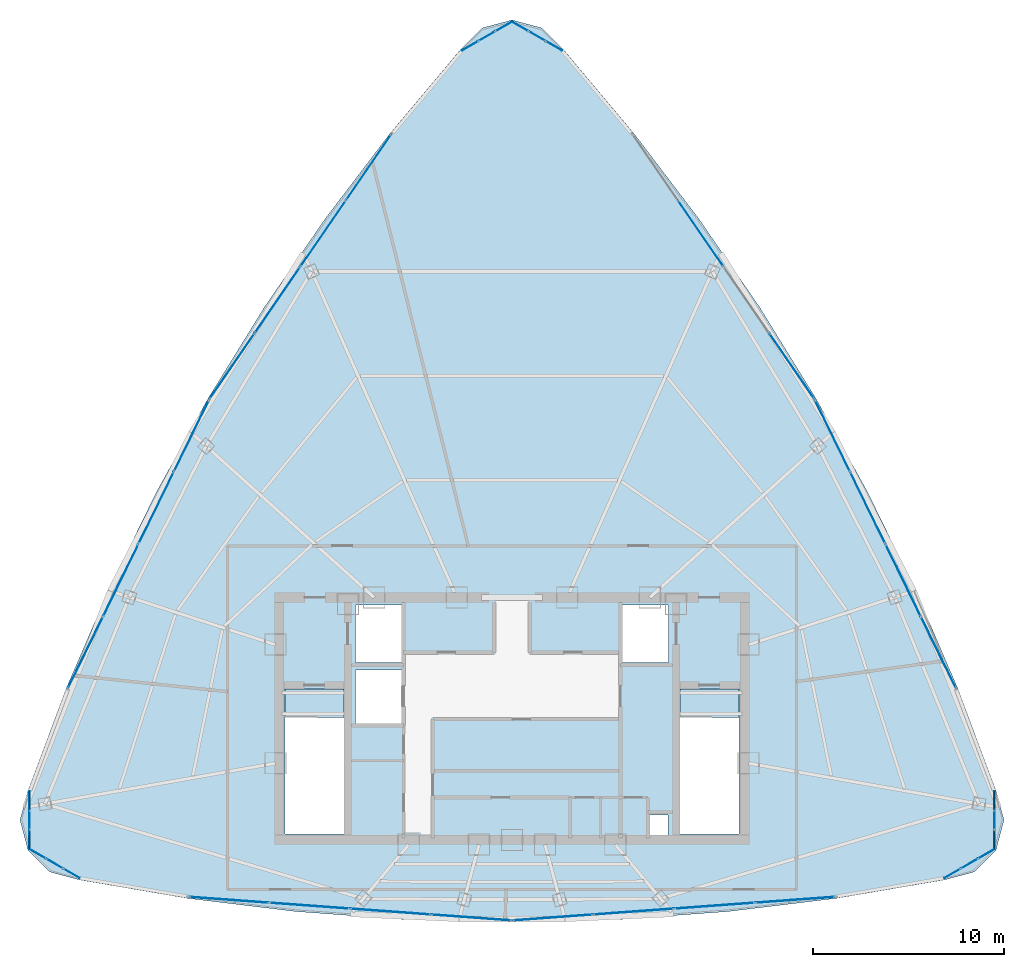
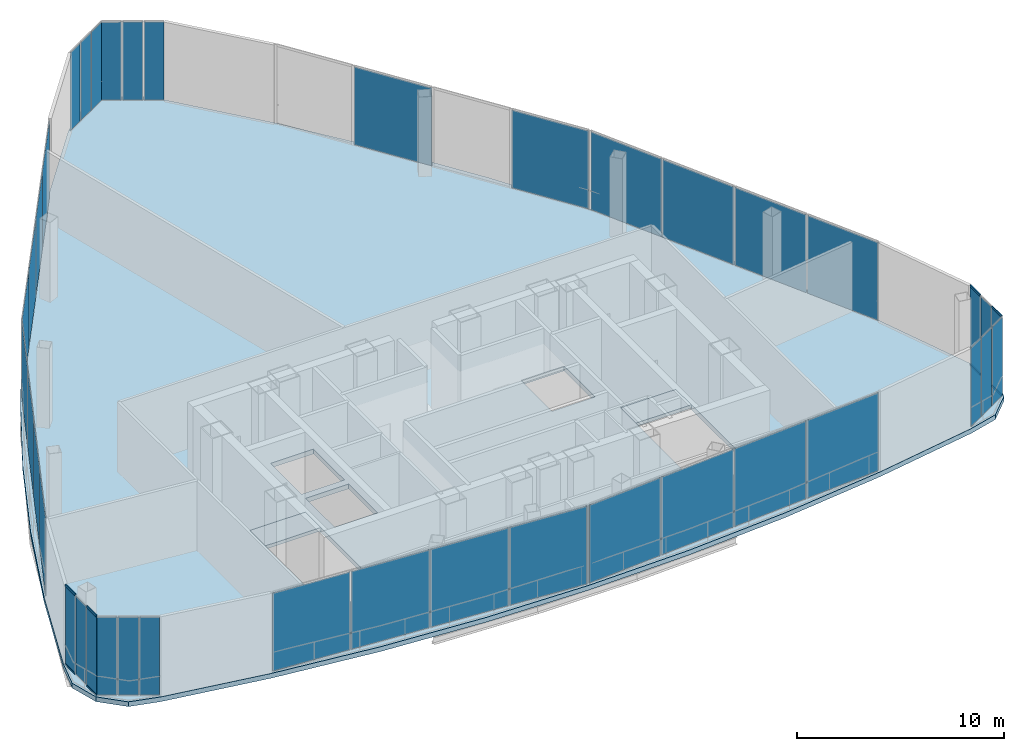
# One storey, part 28 of 32: 40 plates, 8 members, 3 slabs, 12 elements without a shape of their own.
"""IFC4 building model written with IfcOpenShell, lengths in metres."""

from ifc_helpers import new_model, si_unit, direction, frame, origin, origin_2d, place, context, subcontext, project, spatial, polyline, rectangle, hollow_rectangle, outline, extrude, source, transform, mapped, material, layer, layer_set, material_profile, profile_set, type_object, element, aggregate, save


model = new_model("IFC4")

# Units and contexts
model_context = context("Model", 3, precision=1e-05, world=origin(), true_north=direction((0.0, 1.0)))
body_context = subcontext(model_context, "Body", "Model", "MODEL_VIEW")
ifc_project = project(units=[si_unit("LENGTHUNIT", "METRE"), si_unit("AREAUNIT", "SQUARE_METRE"), si_unit("VOLUMEUNIT", "CUBIC_METRE"), si_unit("PLANEANGLEUNIT", "RADIAN"), si_unit("MASSUNIT", "GRAM", prefix="KILO"), si_unit("THERMODYNAMICTEMPERATUREUNIT", "KELVIN"), si_unit("POWERUNIT", "WATT")], contexts=[model_context])

# Site, building, storey
site_placement = place(None, origin())
site = spatial("IfcSite", under=ifc_project, at=site_placement, CompositionType="ELEMENT")
building_placement = place(site_placement, origin())
building = spatial("IfcBuilding", under=site, at=building_placement, Name="Yunzhuo Pagoda Commons", CompositionType="ELEMENT")
storey_placement = place(building_placement, frame((0.0, 0.0, 396.760009765625)))
storey = spatial("IfcBuildingStorey", under=building, at=storey_placement, Name="L98", CompositionType="ELEMENT", Elevation=396.760009765625)

# Curtain wall, members
ifc_material_1 = material(Name="Anodized aluminium 6063-T6", Category="aluminium")
ifc_layer_1 = layer(ifc_material_1, 0.1298828125)
ifc_layer_set_1 = layer_set([ifc_layer_1], Name="Anodized aluminium 6063-T6")
curtain_wall_type_1 = type_object("IfcCurtainWallType", Name="CW-VTX Rounded Corner Curtain Wall", PredefinedType="NOTDEFINED", material=ifc_layer_set_1)
curtain_wall_1_placement = place(storey_placement, origin())
curtain_wall_1 = element("IfcCurtainWall", 1, at=curtain_wall_1_placement, inside=storey, type_object=curtain_wall_type_1, Name="L98 curtain wall CW-L98-CRNV1S1", PredefinedType="NOTDEFINED")
ifc_material_profile = material_profile(ifc_material_1, hollow_rectangle(XDim=0.054931640625, YDim=0.1201171875, WallThickness=0.00341796875, at=origin_2d()), Name="Anodized aluminium 6063-T6")
ifc_profile_set = profile_set([ifc_material_profile], Name="Anodized aluminium 6063-T6")
member_type = type_object("IfcMemberType", Name="CW-VTX-T Transom RHS 120x55x3.5", PredefinedType="USERDEFINED", material=ifc_profile_set)
shared_shape_1 = source(origin(), body_context, "Body", "SweptSolid", [
    extrude(hollow_rectangle(XDim=0.054931640625, YDim=0.1201171875, WallThickness=0.00341796875, at=origin_2d()), origin(), (0.0, 0.0, 1.0), 0.963623046875),
])
member_1_placement = place(storey_placement, frame((22.728759765625, 30.0537109375, 0.027587890625), z_axis=(-0.003546975407, -0.999993709463, 0.0), x_axis=(0.999993709463, -0.003546975407, 0.0)))
member_1 = element("IfcMember", 2, at=member_1_placement, type_object=member_type, Name="CW transom 1.1", ObjectType="TRANSOM", PredefinedType="USERDEFINED", context=body_context, shape_type="MappedRepresentation", body=[
    mapped(shared_shape_1, transform((0.0, 0.0, 0.0), scale=1.0)),
])
member_2_placement = place(storey_placement, frame((22.728759765625, 30.0537109375, 4.6923828125), z_axis=(-0.003546975407, -0.999993709463, 0.0), x_axis=(0.999993709463, -0.003546975407, 0.0)))
member_2 = element("IfcMember", 3, at=member_2_placement, type_object=member_type, Name="CW transom 1.2", ObjectType="TRANSOM", PredefinedType="USERDEFINED", context=body_context, shape_type="MappedRepresentation", body=[
    mapped(shared_shape_1, transform((0.0, 0.0, 0.0), scale=1.0)),
])
member_3_placement = place(storey_placement, frame((22.7216796875, 27.989013671875, 0.027587890625), z_axis=(-0.003800327256, -0.99999277873, 0.0), x_axis=(0.99999277873, -0.003800327256, 0.0)))
member_3 = element("IfcMember", 4, at=member_3_placement, type_object=member_type, Name="CW transom 3.1", ObjectType="TRANSOM", PredefinedType="USERDEFINED", context=body_context, shape_type="MappedRepresentation", body=[
    mapped(shared_shape_1, transform((0.0, 0.0, 0.0), scale=1.0)),
])
member_4_placement = place(storey_placement, frame((22.7216796875, 27.989013671875, 4.6923828125), z_axis=(-0.003800327256, -0.99999277873, 0.0), x_axis=(0.99999277873, -0.003800327256, 0.0)))
member_4 = element("IfcMember", 5, at=member_4_placement, type_object=member_type, Name="CW transom 3.2", ObjectType="TRANSOM", PredefinedType="USERDEFINED", context=body_context, shape_type="MappedRepresentation", body=[
    mapped(shared_shape_1, transform((0.0, 0.0, 0.0), scale=1.0)),
])

curtain_wall_2_placement = place(storey_placement, origin())
curtain_wall_2 = element("IfcCurtainWall", 6, at=curtain_wall_2_placement, inside=storey, type_object=curtain_wall_type_1, Name="L98 curtain wall CW-L98-CRNV2S2", PredefinedType="NOTDEFINED")
member_5_placement = place(storey_placement, frame((73.281982421875, 27.025390625, 0.027587890625), z_axis=(-0.003293622875, 0.999994576009, 0.0), x_axis=(-0.999994576009, -0.003293622875, 0.0)))
member_5 = element("IfcMember", 7, at=member_5_placement, type_object=member_type, Name="CW transom 1.1", ObjectType="TRANSOM", PredefinedType="USERDEFINED", context=body_context, shape_type="MappedRepresentation", body=[
    mapped(shared_shape_1, transform((0.0, 0.0, 0.0), scale=1.0)),
])
member_6_placement = place(storey_placement, frame((73.281982421875, 27.025390625, 4.6923828125), z_axis=(-0.003293622875, 0.999994576009, 0.0), x_axis=(-0.999994576009, -0.003293622875, 0.0)))
member_6 = element("IfcMember", 8, at=member_6_placement, type_object=member_type, Name="CW transom 1.2", ObjectType="TRANSOM", PredefinedType="USERDEFINED", context=body_context, shape_type="MappedRepresentation", body=[
    mapped(shared_shape_1, transform((0.0, 0.0, 0.0), scale=1.0)),
])
member_7_placement = place(storey_placement, frame((73.274658203125, 29.090087890625, 0.027587890625), z_axis=(-0.003546975407, 0.999993709463, 0.0), x_axis=(-0.999993709463, -0.003546975407, 0.0)))
member_7 = element("IfcMember", 9, at=member_7_placement, type_object=member_type, Name="CW transom 3.1", ObjectType="TRANSOM", PredefinedType="USERDEFINED", context=body_context, shape_type="MappedRepresentation", body=[
    mapped(shared_shape_1, transform((0.0, 0.0, 0.0), scale=1.0)),
])
member_8_placement = place(storey_placement, frame((73.274658203125, 29.090087890625, 4.6923828125), z_axis=(-0.003546975407, 0.999993709463, 0.0), x_axis=(-0.999993709463, -0.003546975407, 0.0)))
member_8 = element("IfcMember", 10, at=member_8_placement, type_object=member_type, Name="CW transom 3.2", ObjectType="TRANSOM", PredefinedType="USERDEFINED", context=body_context, shape_type="MappedRepresentation", body=[
    mapped(shared_shape_1, transform((0.0, 0.0, 0.0), scale=1.0)),
])

# Slabs
ifc_material_2 = material(Name="Concrete C40", Category="concrete")
ifc_layer_2 = layer(ifc_material_2, 0.199951171875)
ifc_layer_set_2 = layer_set([ifc_layer_2], Name="Concrete C40")
slab_type_1 = type_object("IfcSlabType", Name="SL-LND1 Stair Landing Slab 200", PredefinedType="LANDING", material=ifc_layer_set_2)
slab_1_placement = place(storey_placement, frame((0.0, 0.0, -0.199951171875)))
element("IfcSlab", 11, at=slab_1_placement, inside=storey, type_object=slab_type_1, Name="ST1 floor landing L98", PredefinedType="LANDING", context=body_context, shape_type="SweptSolid", body=[
    extrude(outline(polyline([(36.10009765625, 35.39990234375), (36.10009765625, 33.89990234375), (39.199951171875, 33.89990234375), (39.199951171875, 35.39990234375), (36.10009765625, 35.39990234375)])), origin(), (0.0, 0.0, 1.0), 0.199951171875),
])
ifc_layer_3 = layer(ifc_material_2, 0.201904296875)
ifc_layer_set_3 = layer_set([ifc_layer_3], Name="Concrete C40")
slab_type_2 = type_object("IfcSlabType", Name="SL-LND2 Stair Landing Slab 202", PredefinedType="LANDING", material=ifc_layer_set_3)
slab_2_placement = place(storey_placement, frame((0.0, 0.0, -0.199951171875)))
element("IfcSlab", 12, at=slab_2_placement, inside=storey, type_object=slab_type_2, Name="ST2 floor landing L98", PredefinedType="LANDING", context=body_context, shape_type="SweptSolid", body=[
    extrude(outline(polyline([(56.800048828125, 35.39990234375), (56.800048828125, 33.89990234375), (59.89990234375, 33.89990234375), (59.89990234375, 35.39990234375), (56.800048828125, 35.39990234375)])), origin(), (0.0, 0.0, 1.0), 0.199951171875),
])
ifc_layer_4 = layer(ifc_material_2, 0.280029296875)
ifc_layer_set_4 = layer_set([ifc_layer_4], Name="Concrete C40")
slab_type_3 = type_object("IfcSlabType", Name="SL-POD Podium & Refuge Floor Slab 280", PredefinedType="FLOOR", material=ifc_layer_set_4)
slab_3_placement = place(storey_placement, frame((0.0, 0.0, -0.280029296875)))
element("IfcSlab", 13, at=slab_3_placement, inside=storey, type_object=slab_type_3, Name="L98 structural floor slab", PredefinedType="FLOOR", context=body_context, shape_type="SweptSolid", body=[
    extrude(outline(polyline([(24.64697265625, 35.4443359375), (26.8828125, 40.64111328125), (29.356689453125, 45.69873046875), (32.068603515625, 50.61767578125), (35.018310546875, 55.397705078125), (38.2060546875, 60.038818359375), (41.631591796875, 64.541015625), (45.295166015625, 68.904296875), (46.4404296875, 70.04150390625), (48.0, 70.457275390625), (49.5595703125, 70.04150390625), (50.704833984375, 68.904296875), (54.368408203125, 64.541015625), (57.7939453125, 60.038818359375), (60.981689453125, 55.397705078125), (63.931396484375, 50.61767578125), (66.643310546875, 45.69873046875), (69.1171875, 40.64111328125), (71.35302734375, 35.4443359375), (73.35107421875, 30.10888671875), (73.7783203125, 28.541259765625), (73.3623046875, 26.970458984375), (72.21533203125, 25.819580078125), (70.646240234375, 25.39794921875), (64.984619140625, 24.43359375), (59.322998046875, 23.7451171875), (53.66162109375, 23.331787109375), (48.0, 23.194091796875), (42.33837890625, 23.331787109375), (36.677001953125, 23.7451171875), (31.015380859375, 24.43359375), (25.353759765625, 25.39794921875), (23.78466796875, 25.819580078125), (22.6376953125, 26.970458984375), (22.2216796875, 28.541259765625), (22.64892578125, 30.10888671875), (24.64697265625, 35.4443359375)]), holes=[polyline([(55.179931640625, 28.800048828125), (55.179931640625, 27.699951171875), (56.179931640625, 27.699951171875), (56.179931640625, 28.800048828125), (55.179931640625, 28.800048828125)]), polyline([(39.199951171875, 27.800048828125), (39.199951171875, 35.39990234375), (36.10009765625, 35.39990234375), (36.10009765625, 27.800048828125), (39.199951171875, 27.800048828125)]), polyline([(59.89990234375, 27.800048828125), (59.89990234375, 35.39990234375), (56.800048828125, 35.39990234375), (56.800048828125, 27.800048828125), (59.89990234375, 27.800048828125)]), polyline([(39.800048828125, 36.39990234375), (39.800048828125, 33.60009765625), (42.199951171875, 33.60009765625), (42.199951171875, 36.39990234375), (39.800048828125, 36.39990234375)]), polyline([(42.199951171875, 39.800048828125), (39.800048828125, 39.800048828125), (39.800048828125, 36.800048828125), (42.199951171875, 36.800048828125), (42.199951171875, 39.800048828125)]), polyline([(56.199951171875, 39.800048828125), (53.800048828125, 39.800048828125), (53.800048828125, 36.800048828125), (56.199951171875, 36.800048828125), (56.199951171875, 39.800048828125)])]), origin(), (0.0, 0.0, 1.0), 0.280029296875),
])

# Curtain wall, plates
ifc_layer_5 = layer(ifc_material_1, 0.179931640625)
ifc_layer_set_5 = layer_set([ifc_layer_5], Name="Anodized aluminium 6063-T6")
curtain_wall_type_2 = type_object("IfcCurtainWallType", Name="CW-CRN Crown Gable Glazing System", PredefinedType="NOTDEFINED", material=ifc_layer_set_5)
curtain_wall_3_placement = place(storey_placement, origin())
curtain_wall_3 = element("IfcCurtainWall", 14, at=curtain_wall_3_placement, inside=storey, type_object=curtain_wall_type_2, Name="L98 curtain wall CW-L98-CRNF1G1", PredefinedType="NOTDEFINED")
ifc_material_3 = material(Name="Tempered low-e double glazing", Category="glass")
ifc_layer_6 = layer(ifc_material_3, 0.030029296875)
ifc_layer_set_6 = layer_set([ifc_layer_6], Name="Tempered low-e double glazing")
plate_type_1 = type_object("IfcPlateType", Name="CW-CRN-P Low-E Double Glazing 30", PredefinedType="CURTAIN_PANEL", material=ifc_layer_set_6)
shared_shape_2 = source(origin(), body_context, "Body", "SweptSolid", [
    extrude(rectangle(XDim=4.159912109375, YDim=0.028076171875, at=origin_2d()), origin(), (0.0, 0.0, 1.0), 4.60009765625),
])
plate_1_placement = place(storey_placement, frame((33.160400390625, 24.357421875, 0.06005859375), z_axis=(0.0, 0.0, 1.0), x_axis=(0.997346882924, -0.072795570763, 0.0)))
plate_1 = element("IfcPlate", 15, at=plate_1_placement, type_object=plate_type_1, Name="CW panel 1.1", PredefinedType="CURTAIN_PANEL", context=body_context, shape_type="MappedRepresentation", body=[
    mapped(shared_shape_2, transform((0.0, 0.0, 0.0), scale=1.0)),
])
plate_2_placement = place(storey_placement, frame((45.866455078125, 23.429931640625, 0.06005859375), z_axis=(0.0, 0.0, 1.0), x_axis=(0.997346882924, -0.072795570763, 0.0)))
plate_2 = element("IfcPlate", 16, at=plate_2_placement, type_object=plate_type_1, Name="CW panel 4.1", PredefinedType="CURTAIN_PANEL", context=body_context, shape_type="MappedRepresentation", body=[
    mapped(shared_shape_2, transform((0.0, 0.0, 0.0), scale=1.0)),
])

curtain_wall_4_placement = place(storey_placement, origin())
curtain_wall_4 = element("IfcCurtainWall", 17, at=curtain_wall_4_placement, inside=storey, type_object=curtain_wall_type_2, Name="L98 curtain wall CW-L98-CRNF1G2", PredefinedType="NOTDEFINED")
plate_3_placement = place(storey_placement, frame((50.133544921875, 23.429931640625, 0.06005859375), z_axis=(0.0, 0.0, 1.0), x_axis=(0.997346851806, 0.072795997095, 0.0)))
plate_3 = element("IfcPlate", 18, at=plate_3_placement, type_object=plate_type_1, Name="CW panel 1.1", PredefinedType="CURTAIN_PANEL", context=body_context, shape_type="MappedRepresentation", body=[
    mapped(shared_shape_2, transform((0.0, 0.0, 0.0), scale=1.0)),
])
plate_4_placement = place(storey_placement, frame((62.839599609375, 24.357421875, 0.06005859375), z_axis=(0.0, 0.0, 1.0), x_axis=(0.997346851806, 0.072795997095, 0.0)))
plate_4 = element("IfcPlate", 19, at=plate_4_placement, type_object=plate_type_1, Name="CW panel 4.1", PredefinedType="CURTAIN_PANEL", context=body_context, shape_type="MappedRepresentation", body=[
    mapped(shared_shape_2, transform((0.0, 0.0, 0.0), scale=1.0)),
])

# Plate
shared_shape_3 = source(origin(), body_context, "Body", "SweptSolid", [
    extrude(rectangle(XDim=4.1923828125, YDim=0.028076171875, at=origin_2d()), origin(), (0.0, 0.0, 1.0), 4.60009765625),
])
plate_5_placement = place(storey_placement, frame((37.390380859375, 24.048583984375, 0.06005859375), z_axis=(0.0, 0.0, 1.0), x_axis=(0.997346882924, -0.072795570763, 0.0)))
plate_5 = element("IfcPlate", 20, at=plate_5_placement, type_object=plate_type_1, Name="CW panel 2.1", PredefinedType="CURTAIN_PANEL", context=body_context, shape_type="MappedRepresentation", body=[
    mapped(shared_shape_3, transform((0.0, 0.0, 0.0), scale=1.0)),
])

plate_6_placement = place(storey_placement, frame((41.636474609375, 23.73876953125, 0.06005859375), z_axis=(0.0, 0.0, 1.0), x_axis=(0.997346882924, -0.072795570763, 0.0)))
plate_6 = element("IfcPlate", 21, at=plate_6_placement, type_object=plate_type_1, Name="CW panel 3.1", PredefinedType="CURTAIN_PANEL", context=body_context, shape_type="MappedRepresentation", body=[
    mapped(shared_shape_3, transform((0.0, 0.0, 0.0), scale=1.0)),
])

aggregate(curtain_wall_3, [plate_1, plate_5, plate_6, plate_2])

plate_7_placement = place(storey_placement, frame((54.363525390625, 23.73876953125, 0.06005859375), z_axis=(0.0, 0.0, 1.0), x_axis=(0.997346851806, 0.072795997095, 0.0)))
plate_7 = element("IfcPlate", 22, at=plate_7_placement, type_object=plate_type_1, Name="CW panel 2.1", PredefinedType="CURTAIN_PANEL", context=body_context, shape_type="MappedRepresentation", body=[
    mapped(shared_shape_3, transform((0.0, 0.0, 0.0), scale=1.0)),
])

plate_8_placement = place(storey_placement, frame((58.609619140625, 24.048583984375, 0.06005859375), z_axis=(0.0, 0.0, 1.0), x_axis=(0.997346851806, 0.072795997095, 0.0)))
plate_8 = element("IfcPlate", 23, at=plate_8_placement, type_object=plate_type_1, Name="CW panel 3.1", PredefinedType="CURTAIN_PANEL", context=body_context, shape_type="MappedRepresentation", body=[
    mapped(shared_shape_3, transform((0.0, 0.0, 0.0), scale=1.0)),
])

aggregate(curtain_wall_4, [plate_3, plate_7, plate_8, plate_4])

# Curtain wall, plates
curtain_wall_5_placement = place(storey_placement, origin())
curtain_wall_5 = element("IfcCurtainWall", 24, at=curtain_wall_5_placement, inside=storey, type_object=curtain_wall_type_2, Name="L98 curtain wall CW-L98-CRNF2G1", PredefinedType="NOTDEFINED")
shared_shape_4 = source(origin(), body_context, "Body", "SweptSolid", [
    extrude(rectangle(XDim=4.125244140625, YDim=0.028076171875, at=origin_2d()), origin(), (0.0, 0.0, 1.0), 4.60009765625),
])
plate_9_placement = place(storey_placement, frame((70.346435546875, 37.320556640625, 0.06005859375), z_axis=(0.0, 0.0, 1.0), x_axis=(-0.439384156839, 0.898299261226, 0.0)))
plate_9 = element("IfcPlate", 25, at=plate_9_placement, type_object=plate_type_1, Name="CW panel 1.1", PredefinedType="CURTAIN_PANEL", context=body_context, shape_type="MappedRepresentation", body=[
    mapped(shared_shape_4, transform((0.0, 0.0, 0.0), scale=1.0)),
])
plate_10_placement = place(storey_placement, frame((64.79443359375, 48.671142578125, 0.06005859375), z_axis=(0.0, 0.0, 1.0), x_axis=(-0.439384156839, 0.898299261226, 0.0)))
plate_10 = element("IfcPlate", 26, at=plate_10_placement, type_object=plate_type_1, Name="CW panel 4.1", PredefinedType="CURTAIN_PANEL", context=body_context, shape_type="MappedRepresentation", body=[
    mapped(shared_shape_4, transform((0.0, 0.0, 0.0), scale=1.0)),
])

# Curtain wall, plate
curtain_wall_6_placement = place(storey_placement, origin())
curtain_wall_6 = element("IfcCurtainWall", 27, at=curtain_wall_6_placement, inside=storey, type_object=curtain_wall_type_2, Name="L98 curtain wall CW-L98-CRNF2G2", PredefinedType="NOTDEFINED")
plate_11_placement = place(storey_placement, frame((62.660888671875, 52.326171875, 0.06005859375), z_axis=(0.0, 0.0, 1.0), x_axis=(-0.566158911561, 0.824296116005, 0.0)))
plate_11 = element("IfcPlate", 28, at=plate_11_placement, type_object=plate_type_1, Name="CW panel 1.1", PredefinedType="CURTAIN_PANEL", context=body_context, shape_type="MappedRepresentation", body=[
    mapped(shared_shape_4, transform((0.0, 0.0, 0.0), scale=1.0)),
])

# Curtain wall, plates
curtain_wall_7_placement = place(storey_placement, origin())
curtain_wall_7 = element("IfcCurtainWall", 29, at=curtain_wall_7_placement, inside=storey, type_object=curtain_wall_type_2, Name="L98 curtain wall CW-L98-CRNF3G1", PredefinedType="NOTDEFINED")
plate_12_placement = place(storey_placement, frame((40.492919921875, 62.74169921875, 0.06005859375), z_axis=(0.0, 0.0, 1.0), x_axis=(-0.566158911561, -0.824296116005, 0.0)))
plate_12 = element("IfcPlate", 30, at=plate_12_placement, type_object=plate_type_1, Name="CW panel 1.1", PredefinedType="CURTAIN_PANEL", context=body_context, shape_type="MappedRepresentation", body=[
    mapped(shared_shape_4, transform((0.0, 0.0, 0.0), scale=1.0)),
])
plate_13_placement = place(storey_placement, frame((33.339111328125, 52.326171875, 0.06005859375), z_axis=(0.0, 0.0, 1.0), x_axis=(-0.566158911561, -0.824296116005, 0.0)))
plate_13 = element("IfcPlate", 31, at=plate_13_placement, type_object=plate_type_1, Name="CW panel 4.1", PredefinedType="CURTAIN_PANEL", context=body_context, shape_type="MappedRepresentation", body=[
    mapped(shared_shape_4, transform((0.0, 0.0, 0.0), scale=1.0)),
])

curtain_wall_8_placement = place(storey_placement, origin())
curtain_wall_8 = element("IfcCurtainWall", 32, at=curtain_wall_8_placement, inside=storey, type_object=curtain_wall_type_2, Name="L98 curtain wall CW-L98-CRNF3G2", PredefinedType="NOTDEFINED")
plate_14_placement = place(storey_placement, frame((31.20556640625, 48.671142578125, 0.06005859375), z_axis=(0.0, 0.0, 1.0), x_axis=(-0.439384156839, -0.898299261226, 0.0)))
plate_14 = element("IfcPlate", 33, at=plate_14_placement, type_object=plate_type_1, Name="CW panel 1.1", PredefinedType="CURTAIN_PANEL", context=body_context, shape_type="MappedRepresentation", body=[
    mapped(shared_shape_4, transform((0.0, 0.0, 0.0), scale=1.0)),
])
plate_15_placement = place(storey_placement, frame((25.653564453125, 37.320556640625, 0.06005859375), z_axis=(0.0, 0.0, 1.0), x_axis=(-0.439384156839, -0.898299261226, 0.0)))
plate_15 = element("IfcPlate", 34, at=plate_15_placement, type_object=plate_type_1, Name="CW panel 4.1", PredefinedType="CURTAIN_PANEL", context=body_context, shape_type="MappedRepresentation", body=[
    mapped(shared_shape_4, transform((0.0, 0.0, 0.0), scale=1.0)),
])

# Plate
shared_shape_5 = source(origin(), body_context, "Body", "SweptSolid", [
    extrude(rectangle(XDim=4.15771484375, YDim=0.028076171875, at=origin_2d()), origin(), (0.0, 0.0, 1.0), 4.60009765625),
])
plate_16_placement = place(storey_placement, frame((68.498046875, 41.09912109375, 0.06005859375), z_axis=(0.0, 0.0, 1.0), x_axis=(-0.439384156839, 0.898299261226, 0.0)))
plate_16 = element("IfcPlate", 35, at=plate_16_placement, type_object=plate_type_1, Name="CW panel 2.1", PredefinedType="CURTAIN_PANEL", context=body_context, shape_type="MappedRepresentation", body=[
    mapped(shared_shape_5, transform((0.0, 0.0, 0.0), scale=1.0)),
])

plate_17_placement = place(storey_placement, frame((66.642578125, 44.892578125, 0.06005859375), z_axis=(0.0, 0.0, 1.0), x_axis=(-0.439384156839, 0.898299261226, 0.0)))
plate_17 = element("IfcPlate", 36, at=plate_17_placement, type_object=plate_type_1, Name="CW panel 3.1", PredefinedType="CURTAIN_PANEL", context=body_context, shape_type="MappedRepresentation", body=[
    mapped(shared_shape_5, transform((0.0, 0.0, 0.0), scale=1.0)),
])

aggregate(curtain_wall_5, [plate_9, plate_16, plate_17, plate_10])

plate_18_placement = place(storey_placement, frame((57.888671875, 59.2744140625, 0.06005859375), z_axis=(0.0, 0.0, 1.0), x_axis=(-0.566158911561, 0.824296116005, 0.0)))
plate_18 = element("IfcPlate", 37, at=plate_18_placement, type_object=plate_type_1, Name="CW panel 3.1", PredefinedType="CURTAIN_PANEL", context=body_context, shape_type="MappedRepresentation", body=[
    mapped(shared_shape_5, transform((0.0, 0.0, 0.0), scale=1.0)),
])

aggregate(curtain_wall_6, [plate_11, plate_18])

plate_19_placement = place(storey_placement, frame((38.111328125, 59.2744140625, 0.06005859375), z_axis=(0.0, 0.0, 1.0), x_axis=(-0.566158911561, -0.824296116005, 0.0)))
plate_19 = element("IfcPlate", 38, at=plate_19_placement, type_object=plate_type_1, Name="CW panel 2.1", PredefinedType="CURTAIN_PANEL", context=body_context, shape_type="MappedRepresentation", body=[
    mapped(shared_shape_5, transform((0.0, 0.0, 0.0), scale=1.0)),
])

plate_20_placement = place(storey_placement, frame((35.720703125, 55.793701171875, 0.06005859375), z_axis=(0.0, 0.0, 1.0), x_axis=(-0.566158911561, -0.824296116005, 0.0)))
plate_20 = element("IfcPlate", 39, at=plate_20_placement, type_object=plate_type_1, Name="CW panel 3.1", PredefinedType="CURTAIN_PANEL", context=body_context, shape_type="MappedRepresentation", body=[
    mapped(shared_shape_5, transform((0.0, 0.0, 0.0), scale=1.0)),
])

aggregate(curtain_wall_7, [plate_12, plate_19, plate_20, plate_13])

plate_21_placement = place(storey_placement, frame((29.357421875, 44.892578125, 0.06005859375), z_axis=(0.0, 0.0, 1.0), x_axis=(-0.439384156839, -0.898299261226, 0.0)))
plate_21 = element("IfcPlate", 40, at=plate_21_placement, type_object=plate_type_1, Name="CW panel 2.1", PredefinedType="CURTAIN_PANEL", context=body_context, shape_type="MappedRepresentation", body=[
    mapped(shared_shape_5, transform((0.0, 0.0, 0.0), scale=1.0)),
])

plate_22_placement = place(storey_placement, frame((27.501953125, 41.09912109375, 0.06005859375), z_axis=(0.0, 0.0, 1.0), x_axis=(-0.439384156839, -0.898299261226, 0.0)))
plate_22 = element("IfcPlate", 41, at=plate_22_placement, type_object=plate_type_1, Name="CW panel 3.1", PredefinedType="CURTAIN_PANEL", context=body_context, shape_type="MappedRepresentation", body=[
    mapped(shared_shape_5, transform((0.0, 0.0, 0.0), scale=1.0)),
])

aggregate(curtain_wall_8, [plate_14, plate_21, plate_22, plate_15])

ifc_layer_7 = layer(ifc_material_3, 0.02587890625)
ifc_layer_set_7 = layer_set([ifc_layer_7], Name="Tempered low-e double glazing")
plate_type_2 = type_object("IfcPlateType", Name="CW-VTX-P Low-E Double Glazing 26", PredefinedType="CURTAIN_PANEL", material=ifc_layer_set_7)
shared_shape_6 = source(origin(), body_context, "Body", "SweptSolid", [
    extrude(rectangle(XDim=0.963623046875, YDim=0.028076171875, at=origin_2d()), origin(), (0.0, 0.0, 1.0), 4.610107421875),
])
plate_23_placement = place(storey_placement, frame((22.72705078125, 29.57177734375, 0.05517578125), z_axis=(0.0, 0.0, 1.0), x_axis=(-0.003568674704, -0.99999363226, 0.0)))
plate_23 = element("IfcPlate", 42, at=plate_23_placement, type_object=plate_type_2, Name="CW panel 1.1", PredefinedType="CURTAIN_PANEL", context=body_context, shape_type="MappedRepresentation", body=[
    mapped(shared_shape_6, transform((0.0, 0.0, 0.0), scale=1.0)),
])

plate_24_placement = place(storey_placement, frame((22.7197265625, 27.507080078125, 0.05517578125), z_axis=(0.0, 0.0, 1.0), x_axis=(-0.003568674704, -0.99999363226, 0.0)))
plate_24 = element("IfcPlate", 43, at=plate_24_placement, type_object=plate_type_2, Name="CW panel 3.1", PredefinedType="CURTAIN_PANEL", context=body_context, shape_type="MappedRepresentation", body=[
    mapped(shared_shape_6, transform((0.0, 0.0, 0.0), scale=1.0)),
])

# Curtain wall, plates
curtain_wall_9_placement = place(storey_placement, origin())
curtain_wall_9 = element("IfcCurtainWall", 44, at=curtain_wall_9_placement, inside=storey, type_object=curtain_wall_type_1, Name="L98 curtain wall CW-L98-CRNV1S2", PredefinedType="NOTDEFINED")
plate_25_placement = place(storey_placement, frame((23.142333984375, 26.770751953125, 0.05517578125), z_axis=(0.0, 0.0, 1.0), x_axis=(0.865423376836, -0.501041294531, 0.0)))
plate_25 = element("IfcPlate", 45, at=plate_25_placement, type_object=plate_type_2, Name="CW panel 1.1", PredefinedType="CURTAIN_PANEL", context=body_context, shape_type="MappedRepresentation", body=[
    mapped(shared_shape_6, transform((0.0, 0.0, 0.0), scale=1.0)),
])
plate_26_placement = place(storey_placement, frame((24.92919921875, 25.736083984375, 0.05517578125), z_axis=(0.0, 0.0, 1.0), x_axis=(0.865423376836, -0.501041294531, 0.0)))
plate_26 = element("IfcPlate", 46, at=plate_26_placement, type_object=plate_type_2, Name="CW panel 3.1", PredefinedType="CURTAIN_PANEL", context=body_context, shape_type="MappedRepresentation", body=[
    mapped(shared_shape_6, transform((0.0, 0.0, 0.0), scale=1.0)),
])

curtain_wall_10_placement = place(storey_placement, origin())
curtain_wall_10 = element("IfcCurtainWall", 47, at=curtain_wall_10_placement, inside=storey, type_object=curtain_wall_type_1, Name="L98 curtain wall CW-L98-CRNV2S1", PredefinedType="NOTDEFINED")
plate_27_placement = place(storey_placement, frame((71.07080078125, 25.736083984375, 0.05517578125), z_axis=(0.0, 0.0, 1.0), x_axis=(0.865423376836, 0.501041294531, 0.0)))
plate_27 = element("IfcPlate", 48, at=plate_27_placement, type_object=plate_type_2, Name="CW panel 1.1", PredefinedType="CURTAIN_PANEL", context=body_context, shape_type="MappedRepresentation", body=[
    mapped(shared_shape_6, transform((0.0, 0.0, 0.0), scale=1.0)),
])
plate_28_placement = place(storey_placement, frame((72.857666015625, 26.770751953125, 0.05517578125), z_axis=(0.0, 0.0, 1.0), x_axis=(0.865423376836, 0.501041294531, 0.0)))
plate_28 = element("IfcPlate", 49, at=plate_28_placement, type_object=plate_type_2, Name="CW panel 3.1", PredefinedType="CURTAIN_PANEL", context=body_context, shape_type="MappedRepresentation", body=[
    mapped(shared_shape_6, transform((0.0, 0.0, 0.0), scale=1.0)),
])

# Plate
plate_29_placement = place(storey_placement, frame((73.2802734375, 27.507080078125, 0.05517578125), z_axis=(0.0, 0.0, 1.0), x_axis=(-0.003568674704, 0.99999363226, 0.0)))
plate_29 = element("IfcPlate", 50, at=plate_29_placement, type_object=plate_type_2, Name="CW panel 1.1", PredefinedType="CURTAIN_PANEL", context=body_context, shape_type="MappedRepresentation", body=[
    mapped(shared_shape_6, transform((0.0, 0.0, 0.0), scale=1.0)),
])

plate_30_placement = place(storey_placement, frame((73.27294921875, 29.57177734375, 0.05517578125), z_axis=(0.0, 0.0, 1.0), x_axis=(-0.003568674704, 0.99999363226, 0.0)))
plate_30 = element("IfcPlate", 51, at=plate_30_placement, type_object=plate_type_2, Name="CW panel 3.1", PredefinedType="CURTAIN_PANEL", context=body_context, shape_type="MappedRepresentation", body=[
    mapped(shared_shape_6, transform((0.0, 0.0, 0.0), scale=1.0)),
])

shared_shape_7 = source(origin(), body_context, "Body", "SweptSolid", [
    extrude(rectangle(XDim=0.9912109375, YDim=0.028076171875, at=origin_2d()), origin(), (0.0, 0.0, 1.0), 4.610107421875),
])
plate_31_placement = place(storey_placement, frame((22.723388671875, 28.539306640625, 0.05517578125), z_axis=(0.0, 0.0, 1.0), x_axis=(-0.003568674704, -0.99999363226, 0.0)))
plate_31 = element("IfcPlate", 52, at=plate_31_placement, type_object=plate_type_2, Name="CW panel 2.1", PredefinedType="CURTAIN_PANEL", context=body_context, shape_type="MappedRepresentation", body=[
    mapped(shared_shape_7, transform((0.0, 0.0, 0.0), scale=1.0)),
])

aggregate(curtain_wall_1, [member_1, member_2, plate_23, plate_31, member_3, member_4, plate_24])

plate_32_placement = place(storey_placement, frame((24.035888671875, 26.25341796875, 0.05517578125), z_axis=(0.0, 0.0, 1.0), x_axis=(0.865423376836, -0.501041294531, 0.0)))
plate_32 = element("IfcPlate", 53, at=plate_32_placement, type_object=plate_type_2, Name="CW panel 2.1", PredefinedType="CURTAIN_PANEL", context=body_context, shape_type="MappedRepresentation", body=[
    mapped(shared_shape_7, transform((0.0, 0.0, 0.0), scale=1.0)),
])

aggregate(curtain_wall_9, [plate_25, plate_32, plate_26])

plate_33_placement = place(storey_placement, frame((71.964111328125, 26.25341796875, 0.05517578125), z_axis=(0.0, 0.0, 1.0), x_axis=(0.865423376836, 0.501041294531, 0.0)))
plate_33 = element("IfcPlate", 54, at=plate_33_placement, type_object=plate_type_2, Name="CW panel 2.1", PredefinedType="CURTAIN_PANEL", context=body_context, shape_type="MappedRepresentation", body=[
    mapped(shared_shape_7, transform((0.0, 0.0, 0.0), scale=1.0)),
])

aggregate(curtain_wall_10, [plate_27, plate_33, plate_28])

plate_34_placement = place(storey_placement, frame((73.276611328125, 28.539306640625, 0.05517578125), z_axis=(0.0, 0.0, 1.0), x_axis=(-0.003568674704, 0.99999363226, 0.0)))
plate_34 = element("IfcPlate", 55, at=plate_34_placement, type_object=plate_type_2, Name="CW panel 2.1", PredefinedType="CURTAIN_PANEL", context=body_context, shape_type="MappedRepresentation", body=[
    mapped(shared_shape_7, transform((0.0, 0.0, 0.0), scale=1.0)),
])

aggregate(curtain_wall_2, [member_5, member_6, plate_29, plate_34, member_7, member_8, plate_30])

# Curtain wall, plates
curtain_wall_11_placement = place(storey_placement, origin())
curtain_wall_11 = element("IfcCurtainWall", 56, at=curtain_wall_11_placement, inside=storey, type_object=curtain_wall_type_1, Name="L98 curtain wall CW-L98-CRNV3S1", PredefinedType="NOTDEFINED")
shared_shape_8 = source(origin(), body_context, "Body", "SweptSolid", [
    extrude(rectangle(XDim=0.957275390625, YDim=0.028076171875, at=origin_2d()), origin(), (0.0, 0.0, 1.0), 4.610107421875),
])
plate_35_placement = place(storey_placement, frame((50.202392578125, 69.1005859375, 0.05517578125), z_axis=(0.0, 0.0, 1.0), x_axis=(-0.867213359154, 0.497936732633, 0.0)))
plate_35 = element("IfcPlate", 57, at=plate_35_placement, type_object=plate_type_2, Name="CW panel 1.1", PredefinedType="CURTAIN_PANEL", context=body_context, shape_type="MappedRepresentation", body=[
    mapped(shared_shape_8, transform((0.0, 0.0, 0.0), scale=1.0)),
])
plate_36_placement = place(storey_placement, frame((48.4228515625, 70.122314453125, 0.05517578125), z_axis=(0.0, 0.0, 1.0), x_axis=(-0.867213359154, 0.497936732633, 0.0)))
plate_36 = element("IfcPlate", 58, at=plate_36_placement, type_object=plate_type_2, Name="CW panel 3.1", PredefinedType="CURTAIN_PANEL", context=body_context, shape_type="MappedRepresentation", body=[
    mapped(shared_shape_8, transform((0.0, 0.0, 0.0), scale=1.0)),
])

curtain_wall_12_placement = place(storey_placement, origin())
curtain_wall_12 = element("IfcCurtainWall", 59, at=curtain_wall_12_placement, inside=storey, type_object=curtain_wall_type_1, Name="L98 curtain wall CW-L98-CRNV3S2", PredefinedType="NOTDEFINED")
plate_37_placement = place(storey_placement, frame((47.5771484375, 70.122314453125, 0.05517578125), z_axis=(0.0, 0.0, 1.0), x_axis=(-0.867213359154, -0.497936732633, 0.0)))
plate_37 = element("IfcPlate", 60, at=plate_37_placement, type_object=plate_type_2, Name="CW panel 1.1", PredefinedType="CURTAIN_PANEL", context=body_context, shape_type="MappedRepresentation", body=[
    mapped(shared_shape_8, transform((0.0, 0.0, 0.0), scale=1.0)),
])
plate_38_placement = place(storey_placement, frame((45.797607421875, 69.1005859375, 0.05517578125), z_axis=(0.0, 0.0, 1.0), x_axis=(-0.867213359154, -0.497936732633, 0.0)))
plate_38 = element("IfcPlate", 61, at=plate_38_placement, type_object=plate_type_2, Name="CW panel 3.1", PredefinedType="CURTAIN_PANEL", context=body_context, shape_type="MappedRepresentation", body=[
    mapped(shared_shape_8, transform((0.0, 0.0, 0.0), scale=1.0)),
])

# Plate
shared_shape_9 = source(origin(), body_context, "Body", "SweptSolid", [
    extrude(rectangle(XDim=0.984619140625, YDim=0.028076171875, at=origin_2d()), origin(), (0.0, 0.0, 1.0), 4.610107421875),
])
plate_39_placement = place(storey_placement, frame((49.312744140625, 69.611328125, 0.05517578125), z_axis=(0.0, 0.0, 1.0), x_axis=(-0.867213359154, 0.497936732633, 0.0)))
plate_39 = element("IfcPlate", 62, at=plate_39_placement, type_object=plate_type_2, Name="CW panel 2.1", PredefinedType="CURTAIN_PANEL", context=body_context, shape_type="MappedRepresentation", body=[
    mapped(shared_shape_9, transform((0.0, 0.0, 0.0), scale=1.0)),
])

aggregate(curtain_wall_11, [plate_35, plate_39, plate_36])

plate_40_placement = place(storey_placement, frame((46.687255859375, 69.611328125, 0.05517578125), z_axis=(0.0, 0.0, 1.0), x_axis=(-0.867213359154, -0.497936732633, 0.0)))
plate_40 = element("IfcPlate", 63, at=plate_40_placement, type_object=plate_type_2, Name="CW panel 2.1", PredefinedType="CURTAIN_PANEL", context=body_context, shape_type="MappedRepresentation", body=[
    mapped(shared_shape_9, transform((0.0, 0.0, 0.0), scale=1.0)),
])

aggregate(curtain_wall_12, [plate_37, plate_40, plate_38])

save(model, "model.ifc")
